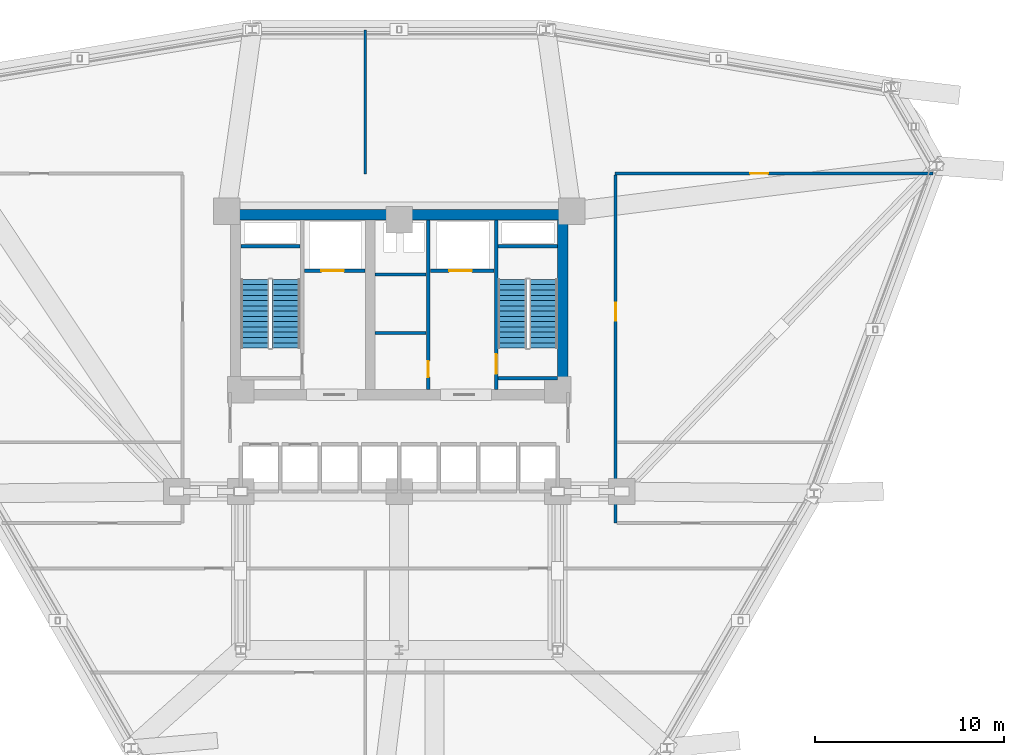
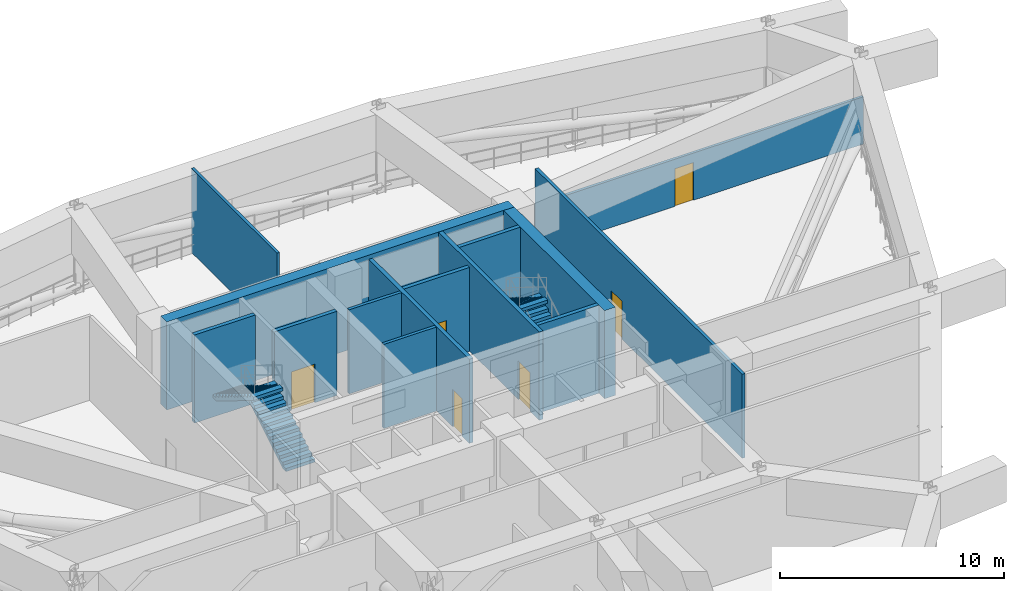
# One storey, part 9 of 12: 14 walls, 6 doors, 4 stair flights, 6 openings, 2 elements without a shape of their own.
"""IFC4 building model written with IfcOpenShell, lengths in metres."""

from ifc_helpers import new_model, si_unit, derived_unit, direction, frame, frame_2d, origin, place, context, subcontext, project, spatial, polyline, rectangle, outline, extrude, material, layer, layer_set, type_object, element, fill, aggregate, save


model = new_model("IFC4")

# Units and contexts
model_context = context("Model", 3, precision=1e-05, world=origin(), true_north=direction((0.0, 1.0)))
body_context = subcontext(model_context, "Body", "Model", "MODEL_VIEW")
ifc_project = project(units=[si_unit("LENGTHUNIT", "METRE"), si_unit("AREAUNIT", "SQUARE_METRE"), si_unit("VOLUMEUNIT", "CUBIC_METRE"), si_unit("PLANEANGLEUNIT", "RADIAN"), si_unit("MASSUNIT", "GRAM", prefix="KILO"), derived_unit("THERMALTRANSMITTANCEUNIT", [(si_unit("POWERUNIT", "WATT"), 1), (si_unit("LENGTHUNIT", "METRE"), -2), (si_unit("THERMODYNAMICTEMPERATUREUNIT", "KELVIN"), -1)])], contexts=[model_context])

# Site, building, storey
site_placement = place(None, origin())
site = spatial("IfcSite", under=ifc_project, at=site_placement, CompositionType="ELEMENT")
building_placement = place(site_placement, origin())
building = spatial("IfcBuilding", under=site, at=building_placement, Name="Korsvarv Bourse and Concert Hall", CompositionType="ELEMENT")
storey_placement = place(building_placement, frame((0.0, 0.0, 59.10009765625)))
storey = spatial("IfcBuildingStorey", under=building, at=storey_placement, Name="L14", CompositionType="ELEMENT", Elevation=59.10009765625)

# Wall
ifc_material_1 = material(Name="Concrete C50/60", Category="concrete")
ifc_layer_1 = layer(ifc_material_1, 0.3798828125)
ifc_layer_set_1 = layer_set([ifc_layer_1], Name="Concrete C50/60")
wall_type_1 = type_object("IfcWallType", Name="WL-CORE-380", PredefinedType="SHEAR", material=ifc_layer_set_1)
wall_1_placement = place(storey_placement, frame((27.610107421875, 45.39990234375, 0.0), z_axis=(0.0, 0.0, 1.0), x_axis=(1.0, 0.0, 0.0)))
element("IfcWall", 1, at=wall_1_placement, inside=storey, type_object=wall_type_1, Name="L14 stair shaft structural wall W-L14-ST1-N", PredefinedType="SHEAR", context=body_context, shape_type="SweptSolid", body=[
    extrude(rectangle(XDim=3.139892578125, YDim=0.199951171875, at=frame_2d((1.56982421875, 0.0))), origin(), (0.0, 0.0, 1.0), 4.7998046875),
])

# Wall, opening, door
wall_2_placement = place(storey_placement, frame((41.139892578125, 37.81005859375, 0.0), z_axis=(0.0, 0.0, 1.0), x_axis=(0.0, 1.0, 0.0)))
wall_2 = element("IfcWall", 2, at=wall_2_placement, inside=storey, type_object=wall_type_1, Name="L14 stair shaft structural wall W-L14-ST2-W", PredefinedType="SHEAR", context=body_context, shape_type="SweptSolid", body=[
    extrude(rectangle(XDim=8.97998046875, YDim=0.199951171875, at=frame_2d((4.489990234375, 0.0))), origin(), (0.0, 0.0, 1.0), 4.7998046875),
])
opening_1_placement = place(wall_2_placement, frame((0.820068359375, 0.0, 0.0)))
opening_1 = element("IfcOpeningElement", 3, at=opening_1_placement, cuts=wall_2, Name="Opening D-01", PredefinedType="OPENING", context=body_context, shape_type="SweptSolid", body=[
    extrude(rectangle(XDim=1.050048828125, YDim=2.10009765625, at=frame_2d((0.52490234375, 1.050048828125))), frame((0.0, 0.10986328125, 0.0), z_axis=(0.0, -1.0, 0.0), x_axis=(1.0, 0.0, 0.0)), (0.0, 0.0, 1.0), 0.219970703125),
])
ifc_material_2 = material(Name="Steel S355 fire door", Category="steel")
door_type_1 = type_object("IfcDoorType", Name="DR-FD60", OperationType="NOTDEFINED", PredefinedType="DOOR", material=ifc_material_2)
door_1_placement = place(opening_1_placement, frame((1.050048828125, 0.0, 0.0), z_axis=(0.0, 0.0, 1.0), x_axis=(-1.0, 0.0, 0.0)))
door_1 = element("IfcDoor", 4, at=door_1_placement, inside=storey, type_object=door_type_1, Name="L14 interior door DR-L14-ST2", OperationType="SINGLE_SWING_LEFT", OverallHeight=2.10009765625, OverallWidth=1.050048828125, PredefinedType="DOOR", context=body_context, shape_type="SweptSolid", body=[
    extrude(rectangle(XDim=1.050048828125, YDim=2.10009765625, at=frame_2d((0.52490234375, 1.050048828125))), frame((0.0, 0.02490234375, 0.0), z_axis=(0.0, -1.0, 0.0), x_axis=(1.0, 0.0, 0.0)), (0.0, 0.0, 1.0), 0.050048828125),
])
fill(opening_1, door_1)

# Walls
for number, where, z_axis, x_axis, name in (
    (5, (41.25, 45.39990234375, 0.0), (0.0, 0.0, 1.0), (1.0, 0.0, 0.0), "L14 stair shaft structural wall W-L14-ST2-N"),
    (6, (41.25, 38.39990234375, 0.0), (0.0, 0.0, 1.0), (1.0, 0.0, 0.0), "L14 stair shaft structural wall W-L14-ST2-S"),
):
    element("IfcWall", number, at=place(storey_placement, frame(where, z_axis=z_axis, x_axis=x_axis)), inside=storey, type_object=wall_type_1, Name=name, PredefinedType="SHEAR", context=body_context, shape_type="SweptSolid", body=[
        extrude(rectangle(XDim=3.139892578125, YDim=0.199951171875, at=frame_2d((1.56982421875, 0.0))), origin(), (0.0, 0.0, 1.0), 4.7998046875),
    ])
ifc_material_3 = material(Name="Concrete C60/75", Category="concrete")
ifc_layer_2 = layer(ifc_material_3, 0.550048828125)
ifc_layer_set_2 = layer_set([ifc_layer_2], Name="Concrete C60/75")
wall_type_2 = type_object("IfcWallType", Name="WL-CORE-550", PredefinedType="SHEAR", material=ifc_layer_set_2)
wall_3_placement = place(storey_placement, frame((27.050048828125, 47.074951171875, 0.0), z_axis=(0.0, 0.0, 1.0), x_axis=(1.0, 0.0, 0.0)))
element("IfcWall", 7, at=wall_3_placement, inside=storey, type_object=wall_type_2, Name="L14 North Core Shear Wall", PredefinedType="SHEAR", context=body_context, shape_type="SweptSolid", body=[
    extrude(rectangle(XDim=17.89990234375, YDim=0.550048828125, at=frame_2d((8.949951171875, 0.0))), origin(), (0.0, 0.0, 1.0), 4.7998046875),
])
wall_4_placement = place(storey_placement, frame((44.675048828125, 37.800048828125, 0.0), z_axis=(0.0, 0.0, 1.0), x_axis=(0.0, 1.0, 0.0)))
element("IfcWall", 8, at=wall_4_placement, inside=storey, type_object=wall_type_2, Name="L14 East Core Shear Wall", PredefinedType="SHEAR", context=body_context, shape_type="SweptSolid", body=[
    extrude(rectangle(XDim=9.0, YDim=0.550048828125, at=frame_2d((4.5, 0.0))), origin(), (0.0, 0.0, 1.0), 4.7998046875),
])

# Wall, opening, door
ifc_material_4 = material(Name="Reinforced concrete blockwork C35/45 fire wall", Category="concrete")
ifc_layer_3 = layer(ifc_material_4, 0.199951171875)
ifc_layer_set_3 = layer_set([ifc_layer_3], Name="Reinforced concrete blockwork C35/45 fire wall")
wall_type_3 = type_object("IfcWallType", Name="WL-INT-EI120", PredefinedType="PARTITIONING", material=ifc_layer_set_3)
wall_5_placement = place(storey_placement, frame((30.969970703125, 44.10009765625, 0.0), z_axis=(0.0, 0.0, 1.0), x_axis=(1.0, 0.0, 0.0)))
wall_5 = element("IfcWall", 9, at=wall_5_placement, inside=storey, type_object=wall_type_3, Name="L14 interior partition wall W-L14-FF1-S", PredefinedType="PARTITIONING", context=body_context, shape_type="SweptSolid", body=[
    extrude(rectangle(XDim=3.22998046875, YDim=0.199951171875, at=frame_2d((1.614990234375, 0.0))), origin(), (0.0, 0.0, 1.0), 4.579833984375),
])
opening_2_placement = place(wall_5_placement, frame((0.89990234375, 0.0, 0.0)))
opening_2 = element("IfcOpeningElement", 10, at=opening_2_placement, cuts=wall_5, Name="Opening LD-1", PredefinedType="OPENING", context=body_context, shape_type="SweptSolid", body=[
    extrude(rectangle(XDim=1.199951171875, YDim=2.10009765625, at=frame_2d((0.60009765625, 1.050048828125))), frame((0.0, 0.10986328125, 0.0), z_axis=(0.0, -1.0, 0.0), x_axis=(1.0, 0.0, 0.0)), (0.0, 0.0, 1.0), 0.219970703125),
])
ifc_material_5 = material(Name="Stainless Steel S355 firefighting lift landing door", Category="steel")
door_type_2 = type_object("IfcDoorType", Name="DR-LIFT-FF", OperationType="DOUBLE_DOOR_SLIDING", PredefinedType="DOOR", material=ifc_material_5)
door_2_placement = place(opening_2_placement, origin())
door_2 = element("IfcDoor", 11, at=door_2_placement, inside=storey, type_object=door_type_2, Name="L14 lift sliding landing door LD-L14-FF1", OperationType="DOUBLE_DOOR_SLIDING", OverallHeight=2.10009765625, OverallWidth=1.199951171875, PredefinedType="DOOR", context=body_context, shape_type="SweptSolid", body=[
    extrude(rectangle(XDim=1.199951171875, YDim=2.10009765625, at=frame_2d((0.60009765625, 1.050048828125))), frame((0.0, 0.02490234375, 0.0), z_axis=(0.0, -1.0, 0.0), x_axis=(1.0, 0.0, 0.0)), (0.0, 0.0, 1.0), 0.050048828125),
])
fill(opening_2, door_2)

wall_6_placement = place(storey_placement, frame((37.64990234375, 44.10009765625, 0.0), z_axis=(0.0, 0.0, 1.0), x_axis=(1.0, 0.0, 0.0)))
wall_6 = element("IfcWall", 12, at=wall_6_placement, inside=storey, type_object=wall_type_3, Name="L14 interior partition wall W-L14-FF2-S", PredefinedType="PARTITIONING", context=body_context, shape_type="SweptSolid", body=[
    extrude(rectangle(XDim=3.380126953125, YDim=0.199951171875, at=frame_2d((1.68994140625, 0.0))), origin(), (0.0, 0.0, 1.0), 4.579833984375),
])
opening_3_placement = place(wall_6_placement, frame((1.0, 0.0, 0.0)))
opening_3 = element("IfcOpeningElement", 13, at=opening_3_placement, cuts=wall_6, Name="Opening LD-1", PredefinedType="OPENING", context=body_context, shape_type="SweptSolid", body=[
    extrude(rectangle(XDim=1.199951171875, YDim=2.10009765625, at=frame_2d((0.60009765625, 1.050048828125))), frame((0.0, 0.10986328125, 0.0), z_axis=(0.0, -1.0, 0.0), x_axis=(1.0, 0.0, 0.0)), (0.0, 0.0, 1.0), 0.219970703125),
])
door_3_placement = place(opening_3_placement, origin())
door_3 = element("IfcDoor", 14, at=door_3_placement, inside=storey, type_object=door_type_2, Name="L14 lift sliding landing door LD-L14-FF2", OperationType="DOUBLE_DOOR_SLIDING", OverallHeight=2.10009765625, OverallWidth=1.199951171875, PredefinedType="DOOR", context=body_context, shape_type="SweptSolid", body=[
    extrude(rectangle(XDim=1.199951171875, YDim=2.10009765625, at=frame_2d((0.60009765625, 1.050048828125))), frame((0.0, 0.02490234375, 0.0), z_axis=(0.0, -1.0, 0.0), x_axis=(1.0, 0.0, 0.0)), (0.0, 0.0, 1.0), 0.050048828125),
])
fill(opening_3, door_3)

wall_7_placement = place(storey_placement, frame((37.5400390625, 37.81005859375, 0.0), z_axis=(0.0, 0.0, 1.0), x_axis=(0.0, 1.0, 0.0)))
wall_7 = element("IfcWall", 15, at=wall_7_placement, inside=storey, type_object=wall_type_3, Name="L14 interior partition wall W-L14-CSB-E", PredefinedType="PARTITIONING", context=body_context, shape_type="SweptSolid", body=[
    extrude(rectangle(XDim=8.97998046875, YDim=0.199951171875, at=frame_2d((4.489990234375, 0.0))), origin(), (0.0, 0.0, 1.0), 4.579833984375),
])
opening_4_placement = place(wall_7_placement, frame((0.64990234375, 0.0, 0.0)))
opening_4 = element("IfcOpeningElement", 16, at=opening_4_placement, cuts=wall_7, Name="Opening D-05", PredefinedType="OPENING", context=body_context, shape_type="SweptSolid", body=[
    extrude(rectangle(XDim=0.85009765625, YDim=2.050048828125, at=frame_2d((0.425048828125, 1.02490234375))), frame((0.0, 0.10986328125, 0.0), z_axis=(0.0, -1.0, 0.0), x_axis=(1.0, 0.0, 0.0)), (0.0, 0.0, 1.0), 0.219970703125),
])
door_type_3 = type_object("IfcDoorType", Name="DR-FD60-850X2050", OperationType="NOTDEFINED", PredefinedType="DOOR", material=ifc_material_2)
door_4_placement = place(opening_4_placement, origin())
door_4 = element("IfcDoor", 17, at=door_4_placement, inside=storey, type_object=door_type_3, Name="L14 interior door DR-L14-CSB2", OperationType="SINGLE_SWING_RIGHT", OverallHeight=2.050048828125, OverallWidth=0.85009765625, PredefinedType="DOOR", context=body_context, shape_type="SweptSolid", body=[
    extrude(rectangle(XDim=0.85009765625, YDim=2.050048828125, at=frame_2d((0.425048828125, 1.02490234375))), frame((0.0, 0.02490234375, 0.0), z_axis=(0.0, -1.0, 0.0), x_axis=(1.0, 0.0, 0.0)), (0.0, 0.0, 1.0), 0.050048828125),
])
fill(opening_4, door_4)

# Walls
ifc_material_6 = material(Name="Double-stud fire-rated acoustic partition", Category="gypsum")
ifc_layer_4 = layer(ifc_material_6, 0.159912109375)
ifc_layer_set_4 = layer_set([ifc_layer_4], Name="Double-stud fire-rated acoustic partition")
wall_type_4 = type_object("IfcWallType", Name="WL-INT-EI60", PredefinedType="PARTITIONING", material=ifc_layer_set_4)
for number, where, z_axis, x_axis, name in (
    (18, (34.719970703125, 40.800048828125, 0.0), (0.0, 0.0, 1.0), (1.0, 0.0, 0.0), "L14 interior partition wall W-L14-K1"),
    (19, (34.719970703125, 43.89990234375, 0.0), (0.0, 0.0, 1.0), (1.0, 0.0, 0.0), "L14 interior partition wall W-L14-K2"),
):
    element("IfcWall", number, at=place(storey_placement, frame(where, z_axis=z_axis, x_axis=x_axis)), inside=storey, type_object=wall_type_4, Name=name, PredefinedType="PARTITIONING", context=body_context, shape_type="SweptSolid", body=[
        extrude(rectangle(XDim=2.7099609375, YDim=0.159912109375, at=frame_2d((1.35498046875, 0.0))), origin(), (0.0, 0.0, 1.0), 4.579833984375),
    ])

# Wall, opening, door
wall_8_placement = place(storey_placement, frame((47.47509765625, 30.719970703125, 0.0), z_axis=(0.0, 0.0, 1.0), x_axis=(0.0, 1.0, 0.0)))
wall_8 = element("IfcWall", 20, at=wall_8_placement, inside=storey, type_object=wall_type_4, Name="L14 interior partition wall W-L14-RCOR-02", PredefinedType="PARTITIONING", context=body_context, shape_type="SweptSolid", body=[
    extrude(rectangle(XDim=18.463134765625, YDim=0.159912109375, at=frame_2d((9.2314453125, 0.0))), origin(), (0.0, 0.0, 1.0), 4.579833984375),
])
opening_5_placement = place(wall_8_placement, frame((10.73388671875, 0.0, 0.0)))
opening_5 = element("IfcOpeningElement", 21, at=opening_5_placement, cuts=wall_8, Name="Opening D-02", PredefinedType="OPENING", context=body_context, shape_type="SweptSolid", body=[
    extrude(rectangle(XDim=0.949951171875, YDim=2.050048828125, at=frame_2d((0.47509765625, 1.02490234375))), frame((0.0, 0.08984375, 0.0), z_axis=(0.0, -1.0, 0.0), x_axis=(1.0, 0.0, 0.0)), (0.0, 0.0, 1.0), 0.179931640625),
])
ifc_material_7 = material(Name="Timber and steel acoustic fire door", Category="wood")
door_type_4 = type_object("IfcDoorType", Name="DR-FD30", OperationType="NOTDEFINED", PredefinedType="DOOR", material=ifc_material_7)
door_5_placement = place(opening_5_placement, origin())
door_5 = element("IfcDoor", 22, at=door_5_placement, inside=storey, type_object=door_type_4, Name="L14 interior door DR-L14-RCOR-REFE5", OperationType="SINGLE_SWING_LEFT", OverallHeight=2.050048828125, OverallWidth=0.949951171875, PredefinedType="DOOR", context=body_context, shape_type="SweptSolid", body=[
    extrude(rectangle(XDim=0.949951171875, YDim=2.050048828125, at=frame_2d((0.47509765625, 1.02490234375))), frame((0.0, 0.02490234375, 0.0), z_axis=(0.0, -1.0, 0.0), x_axis=(1.0, 0.0, 0.0)), (0.0, 0.0, 1.0), 0.050048828125),
])
fill(opening_5, door_5)

ifc_material_8 = material(Name="Insulated steel-stud office acoustic partition", Category="gypsum")
ifc_layer_5 = layer(ifc_material_8, 0.139892578125)
ifc_layer_set_5 = layer_set([ifc_layer_5], Name="Insulated steel-stud office acoustic partition")
wall_type_5 = type_object("IfcWallType", Name="WL-INT-P1", PredefinedType="PARTITIONING", material=ifc_layer_set_5)
wall_9_placement = place(storey_placement, frame((47.44677734375, 49.2548828125, 0.0), z_axis=(0.0, 0.0, 1.0), x_axis=(1.0, 0.0, 0.0)))
wall_9 = element("IfcWall", 23, at=wall_9_placement, inside=storey, type_object=wall_type_5, Name="L14 interior partition wall W-L14-RCOR-08", PredefinedType="PARTITIONING", context=body_context, shape_type="SweptSolid", body=[
    extrude(rectangle(XDim=16.85546875, YDim=0.139892578125, at=frame_2d((8.427734375, 0.0))), origin(), (0.0, 0.0, 1.0), 2.56982421875),
])
opening_6_placement = place(wall_9_placement, frame((7.157958984375, 0.0, 0.0)))
opening_6 = element("IfcOpeningElement", 24, at=opening_6_placement, cuts=wall_9, Name="Opening D-03", PredefinedType="OPENING", context=body_context, shape_type="SweptSolid", body=[
    extrude(rectangle(XDim=0.949951171875, YDim=2.050048828125, at=frame_2d((0.47509765625, 1.02490234375))), frame((0.0, 0.080078125, 0.0), z_axis=(0.0, -1.0, 0.0), x_axis=(1.0, 0.0, 0.0)), (0.0, 0.0, 1.0), 0.159912109375),
])
ifc_material_9 = material(Name="Nordic oak acoustic office door", Category="wood")
door_type_5 = type_object("IfcDoorType", Name="DR-INT-1", OperationType="NOTDEFINED", PredefinedType="DOOR", material=ifc_material_9)
door_6_placement = place(opening_6_placement, origin())
door_6 = element("IfcDoor", 25, at=door_6_placement, inside=storey, type_object=door_type_5, Name="L14 interior door DR-L14-RCOR-PL66", OperationType="SINGLE_SWING_LEFT", OverallHeight=2.050048828125, OverallWidth=0.949951171875, PredefinedType="DOOR", context=body_context, shape_type="SweptSolid", body=[
    extrude(rectangle(XDim=0.949951171875, YDim=2.050048828125, at=frame_2d((0.47509765625, 1.02490234375))), frame((0.0, 0.02490234375, 0.0), z_axis=(0.0, -1.0, 0.0), x_axis=(1.0, 0.0, 0.0)), (0.0, 0.0, 1.0), 0.050048828125),
])
fill(opening_6, door_6)

# Wall
wall_10_placement = place(storey_placement, frame((34.205078125, 49.239990234375, 0.0), z_axis=(0.0, 0.0, 1.0), x_axis=(0.0, 1.0, 0.0)))
element("IfcWall", 26, at=wall_10_placement, inside=storey, type_object=wall_type_5, Name="L14 interior partition wall W-L14-RCOR-12", PredefinedType="PARTITIONING", context=body_context, shape_type="SweptSolid", body=[
    extrude(rectangle(XDim=7.62939453125, YDim=0.139892578125, at=frame_2d((3.814697265625, 0.0))), origin(), (0.0, 0.0, 1.0), 4.579833984375),
])

# Stair, stair flights
ifc_material_10 = material(Name="Precast concrete C45/55", Category="concrete")
stair_type = type_object("IfcStairType", Name="STR-TYPE-02", PredefinedType="HALF_TURN_STAIR", material=ifc_material_10)
stair_1_placement = place(storey_placement, origin())
stair_1 = element("IfcStair", 27, at=stair_1_placement, inside=storey, type_object=stair_type, Name="L14 Tower West Exit Stair ST-T1", PredefinedType="HALF_TURN_STAIR")
stair_flight_type = type_object("IfcStairFlightType", Name="FLT-TYPE-02", PredefinedType="STRAIGHT", material=ifc_material_10)
stair_flight_1_placement = place(storey_placement, frame((30.010009765625, 40.0, 0.0), z_axis=(0.0, 0.0, 1.0), x_axis=(0.0, 1.0, 0.0)))
stair_flight_1 = element("IfcStairFlight", 28, at=stair_flight_1_placement, type_object=stair_flight_type, Name="ST-T1 flight 1", NumberOfRisers=14, NumberOfTreads=13, PredefinedType="STRAIGHT", RiserHeight=0.171428571, TreadLength=0.28, context=body_context, shape_type="SweptSolid", body=[
    extrude(outline(polyline([(0.0, 0.0), (0.0, 0.17138671875), (0.280029296875, 0.17138671875), (0.280029296875, 0.3427734375), (0.56005859375, 0.3427734375), (0.56005859375, 0.514404296875), (0.840087890625, 0.514404296875), (0.840087890625, 0.685791015625), (1.1201171875, 0.685791015625), (1.1201171875, 0.857177734375), (1.39990234375, 0.857177734375), (1.39990234375, 1.028564453125), (1.679931640625, 1.028564453125), (1.679931640625, 1.199951171875), (1.9599609375, 1.199951171875), (1.9599609375, 1.371337890625), (2.239990234375, 1.371337890625), (2.239990234375, 1.54296875), (2.52001953125, 1.54296875), (2.52001953125, 1.71435546875), (2.800048828125, 1.71435546875), (2.800048828125, 1.8857421875), (3.080078125, 1.8857421875), (3.080078125, 2.05712890625), (3.360107421875, 2.05712890625), (3.360107421875, 2.228515625), (3.639892578125, 2.228515625), (3.639892578125, 2.39990234375), (3.639892578125, 2.052734375), (0.287109375, 0.0), (0.0, 0.0)])), frame((0.0, 0.75, 0.0), z_axis=(0.0, -1.0, 0.0), x_axis=(1.0, 0.0, 0.0)), (0.0, 0.0, 1.0), 1.5),
])
stair_flight_2_placement = place(storey_placement, frame((28.35009765625, 43.639892578125, 2.39990234375), z_axis=(0.0, 0.0, 1.0), x_axis=(0.0, -1.0, 0.0)))
stair_flight_2 = element("IfcStairFlight", 29, at=stair_flight_2_placement, type_object=stair_flight_type, Name="ST-T1 flight 2", NumberOfRisers=14, NumberOfTreads=13, PredefinedType="STRAIGHT", RiserHeight=0.171428571, TreadLength=0.28, context=body_context, shape_type="SweptSolid", body=[
    extrude(outline(polyline([(0.0, 0.0), (0.0, 0.17138671875), (0.280029296875, 0.17138671875), (0.280029296875, 0.3427734375), (0.56005859375, 0.3427734375), (0.56005859375, 0.514404296875), (0.840087890625, 0.514404296875), (0.840087890625, 0.685791015625), (1.1201171875, 0.685791015625), (1.1201171875, 0.857177734375), (1.39990234375, 0.857177734375), (1.39990234375, 1.028564453125), (1.679931640625, 1.028564453125), (1.679931640625, 1.199951171875), (1.9599609375, 1.199951171875), (1.9599609375, 1.371337890625), (2.239990234375, 1.371337890625), (2.239990234375, 1.54296875), (2.52001953125, 1.54296875), (2.52001953125, 1.71435546875), (2.800048828125, 1.71435546875), (2.800048828125, 1.8857421875), (3.080078125, 1.8857421875), (3.080078125, 2.05712890625), (3.360107421875, 2.05712890625), (3.360107421875, 2.228515625), (3.639892578125, 2.228515625), (3.639892578125, 2.39990234375), (3.639892578125, 2.052734375), (0.287109375, 0.0), (0.0, 0.0)])), frame((0.0, 0.75, 0.0), z_axis=(0.0, -1.0, 0.0), x_axis=(1.0, 0.0, 0.0)), (0.0, 0.0, 1.0), 1.5),
])
aggregate(stair_1, [stair_flight_1, stair_flight_2])

stair_2_placement = place(storey_placement, origin())
stair_2 = element("IfcStair", 30, at=stair_2_placement, inside=storey, type_object=stair_type, Name="L14 Tower East Exit Stair ST-T2", PredefinedType="HALF_TURN_STAIR")
stair_flight_3_placement = place(storey_placement, frame((43.64990234375, 40.0, 0.0), z_axis=(0.0, 0.0, 1.0), x_axis=(0.0, 1.0, 0.0)))
stair_flight_3 = element("IfcStairFlight", 31, at=stair_flight_3_placement, type_object=stair_flight_type, Name="ST-T2 flight 1", NumberOfRisers=14, NumberOfTreads=13, PredefinedType="STRAIGHT", RiserHeight=0.171428571, TreadLength=0.28, context=body_context, shape_type="SweptSolid", body=[
    extrude(outline(polyline([(0.0, 0.0), (0.0, 0.17138671875), (0.280029296875, 0.17138671875), (0.280029296875, 0.3427734375), (0.56005859375, 0.3427734375), (0.56005859375, 0.514404296875), (0.840087890625, 0.514404296875), (0.840087890625, 0.685791015625), (1.1201171875, 0.685791015625), (1.1201171875, 0.857177734375), (1.39990234375, 0.857177734375), (1.39990234375, 1.028564453125), (1.679931640625, 1.028564453125), (1.679931640625, 1.199951171875), (1.9599609375, 1.199951171875), (1.9599609375, 1.371337890625), (2.239990234375, 1.371337890625), (2.239990234375, 1.54296875), (2.52001953125, 1.54296875), (2.52001953125, 1.71435546875), (2.800048828125, 1.71435546875), (2.800048828125, 1.8857421875), (3.080078125, 1.8857421875), (3.080078125, 2.05712890625), (3.360107421875, 2.05712890625), (3.360107421875, 2.228515625), (3.639892578125, 2.228515625), (3.639892578125, 2.39990234375), (3.639892578125, 2.052734375), (0.287109375, 0.0), (0.0, 0.0)])), frame((0.0, 0.75, 0.0), z_axis=(0.0, -1.0, 0.0), x_axis=(1.0, 0.0, 0.0)), (0.0, 0.0, 1.0), 1.5),
])
stair_flight_4_placement = place(storey_placement, frame((41.989990234375, 43.639892578125, 2.39990234375), z_axis=(0.0, 0.0, 1.0), x_axis=(0.0, -1.0, 0.0)))
stair_flight_4 = element("IfcStairFlight", 32, at=stair_flight_4_placement, type_object=stair_flight_type, Name="ST-T2 flight 2", NumberOfRisers=14, NumberOfTreads=13, PredefinedType="STRAIGHT", RiserHeight=0.171428571, TreadLength=0.28, context=body_context, shape_type="SweptSolid", body=[
    extrude(outline(polyline([(0.0, 0.0), (0.0, 0.17138671875), (0.280029296875, 0.17138671875), (0.280029296875, 0.3427734375), (0.56005859375, 0.3427734375), (0.56005859375, 0.514404296875), (0.840087890625, 0.514404296875), (0.840087890625, 0.685791015625), (1.1201171875, 0.685791015625), (1.1201171875, 0.857177734375), (1.39990234375, 0.857177734375), (1.39990234375, 1.028564453125), (1.679931640625, 1.028564453125), (1.679931640625, 1.199951171875), (1.9599609375, 1.199951171875), (1.9599609375, 1.371337890625), (2.239990234375, 1.371337890625), (2.239990234375, 1.54296875), (2.52001953125, 1.54296875), (2.52001953125, 1.71435546875), (2.800048828125, 1.71435546875), (2.800048828125, 1.8857421875), (3.080078125, 1.8857421875), (3.080078125, 2.05712890625), (3.360107421875, 2.05712890625), (3.360107421875, 2.228515625), (3.639892578125, 2.228515625), (3.639892578125, 2.39990234375), (3.639892578125, 2.052734375), (0.287109375, 0.0), (0.0, 0.0)])), frame((0.0, 0.75, 0.0), z_axis=(0.0, -1.0, 0.0), x_axis=(1.0, 0.0, 0.0)), (0.0, 0.0, 1.0), 1.5),
])
aggregate(stair_2, [stair_flight_3, stair_flight_4])

save(model, "model.ifc")
